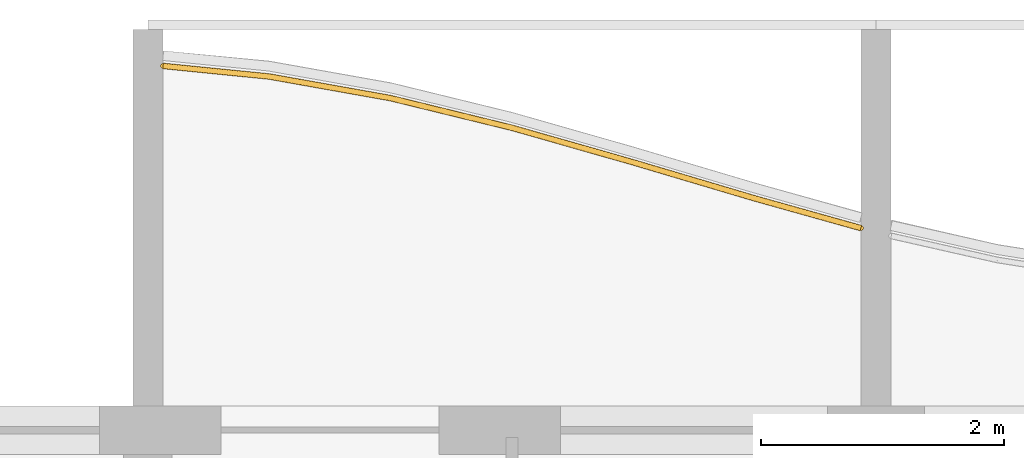
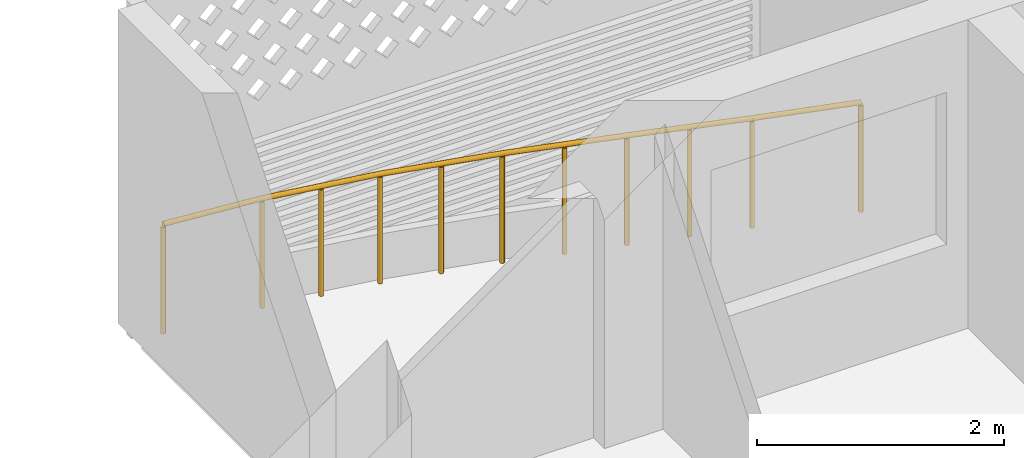
# One storey, part 33 of 40: 1 railing.
"""IFC4 building model written with IfcOpenShell, lengths in metres."""

from ifc_helpers import new_model, si_unit, direction, frame, origin, origin_2d, place, context, subcontext, project, spatial, circle, extrude, material, type_object, element, save


model = new_model("IFC4")

# Units and contexts
model_context = context("Model", 3, precision=1e-05, world=origin(), true_north=direction((0.0, 1.0)))
body_context = subcontext(model_context, "Body", "Model", "MODEL_VIEW")
ifc_project = project(units=[si_unit("LENGTHUNIT", "METRE"), si_unit("AREAUNIT", "SQUARE_METRE"), si_unit("VOLUMEUNIT", "CUBIC_METRE"), si_unit("PLANEANGLEUNIT", "RADIAN"), si_unit("MASSUNIT", "GRAM", prefix="KILO")], contexts=[model_context])

# Site, building, storey
site_placement = place(None, origin())
site = spatial("IfcSite", under=ifc_project, at=site_placement, CompositionType="ELEMENT")
building_placement = place(site_placement, origin())
building = spatial("IfcBuilding", under=site, at=building_placement, Name="Poui Terraces", CompositionType="ELEMENT")
storey_placement = place(building_placement, frame((0.0, 0.0, 33.300048828125)))
storey = spatial("IfcBuildingStorey", under=building, at=storey_placement, Name="L08", CompositionType="ELEMENT", Elevation=33.300048828125)

# Railing
ifc_material = material(Name="Painted steel fretwork", Category="steel")
railing_type = type_object("IfcRailingType", Name="BALCONY GUARD 1100", PredefinedType="GUARDRAIL", material=ifc_material)
railing_placement = place(storey_placement, frame((72.125, 47.80126953125, 0.0)))
element("IfcRailing", 1, at=railing_placement, inside=storey, type_object=railing_type, Name="BALCONY GUARD", PredefinedType="GUARDRAIL", context=body_context, shape_type="SweptSolid", body=[
    extrude(circle(Radius=0.02392578125, at=origin_2d()), frame((0.0, 0.0, 1.076171875), z_axis=(0.995075601073, -0.099118858701, 0.0), x_axis=(0.099118858701, 0.995075601073, 0.0)), (0.0, 0.0, 1.0), 0.87939453125),
    extrude(circle(Radius=0.02392578125, at=origin_2d()), frame((0.875, -0.087158203125, 1.076171875), z_axis=(0.984486939112, -0.175457877332, 0.0), x_axis=(0.175457877332, 0.984486939112, 0.0)), (0.0, 0.0, 1.0), 1.015869140625),
    extrude(circle(Radius=0.02392578125, at=origin_2d()), frame((1.875, -0.265380859375, 1.076171875), z_axis=(0.971412377048, -0.23739838609, 0.0), x_axis=(0.23739838609, 0.971412377048, 0.0)), (0.0, 0.0, 1.0), 1.029541015625),
    extrude(circle(Radius=0.02392578125, at=origin_2d()), frame((2.875, -0.509765625, 1.076171875), z_axis=(0.961727468954, -0.274007801823, 0.0), x_axis=(0.274007801823, 0.961727468954, 0.0)), (0.0, 0.0, 1.0), 1.039794921875),
    extrude(circle(Radius=0.02392578125, at=origin_2d()), frame((3.875, -0.794677734375, 1.076171875), z_axis=(0.958710700624, -0.284383179018, 0.0), x_axis=(0.284383179018, 0.958710700624, 0.0)), (0.0, 0.0, 1.0), 1.04296875),
    extrude(circle(Radius=0.02392578125, at=origin_2d()), frame((4.875, -1.09130859375, 1.076171875), z_axis=(0.963000288712, -0.269500359815, 0.0), x_axis=(0.269500359815, 0.963000288712, 0.0)), (0.0, 0.0, 1.0), 0.90869140625),
    extrude(circle(Radius=0.02099609375, at=origin_2d()), origin(), (0.0, 0.0, 1.0), 1.052001953125),
    extrude(circle(Radius=0.02099609375, at=origin_2d()), frame((0.875, -0.087158203125, 0.0)), (0.0, 0.0, 1.0), 1.052001953125),
    extrude(circle(Radius=0.02099609375, at=origin_2d()), frame((1.375, -0.17626953125, 0.0)), (0.0, 0.0, 1.0), 1.052001953125),
    extrude(circle(Radius=0.02099609375, at=origin_2d()), frame((1.875, -0.265380859375, 0.0)), (0.0, 0.0, 1.0), 1.052001953125),
    extrude(circle(Radius=0.02099609375, at=origin_2d()), frame((2.375, -0.3876953125, 0.0)), (0.0, 0.0, 1.0), 1.052001953125),
    extrude(circle(Radius=0.02099609375, at=origin_2d()), frame((2.875, -0.509765625, 0.0)), (0.0, 0.0, 1.0), 1.052001953125),
    extrude(circle(Radius=0.02099609375, at=origin_2d()), frame((3.375, -0.65234375, 0.0)), (0.0, 0.0, 1.0), 1.052001953125),
    extrude(circle(Radius=0.02099609375, at=origin_2d()), frame((3.875, -0.794677734375, 0.0)), (0.0, 0.0, 1.0), 1.052001953125),
    extrude(circle(Radius=0.02099609375, at=origin_2d()), frame((4.375, -0.94287109375, 0.0)), (0.0, 0.0, 1.0), 1.052001953125),
    extrude(circle(Radius=0.02099609375, at=origin_2d()), frame((4.875, -1.09130859375, 0.0)), (0.0, 0.0, 1.0), 1.052001953125),
    extrude(circle(Radius=0.02099609375, at=origin_2d()), frame((5.75, -1.336181640625, 0.0)), (0.0, 0.0, 1.0), 1.052001953125),
])

save(model, "model.ifc")
